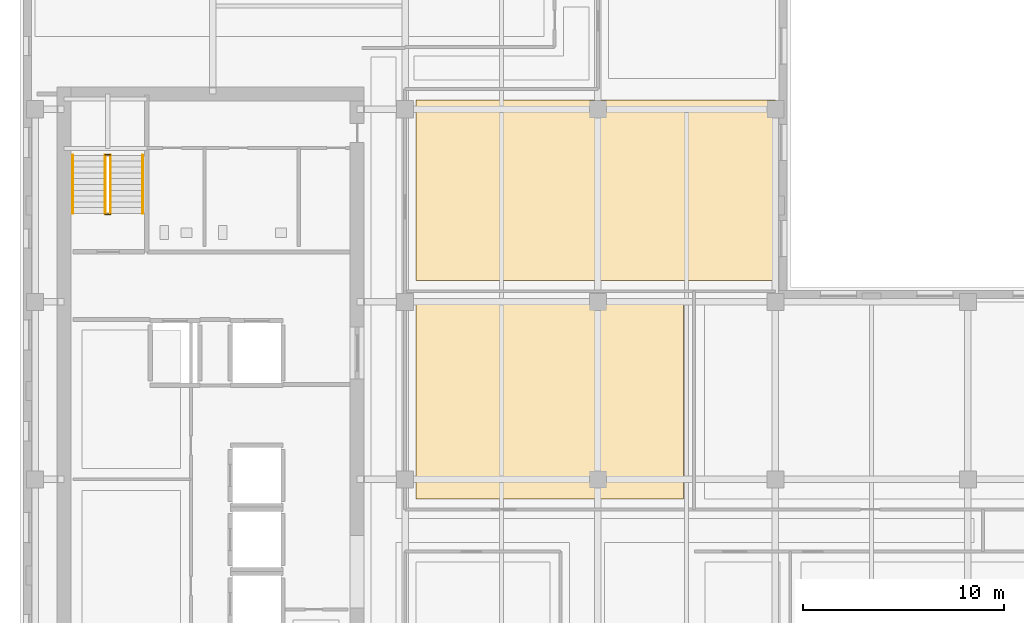
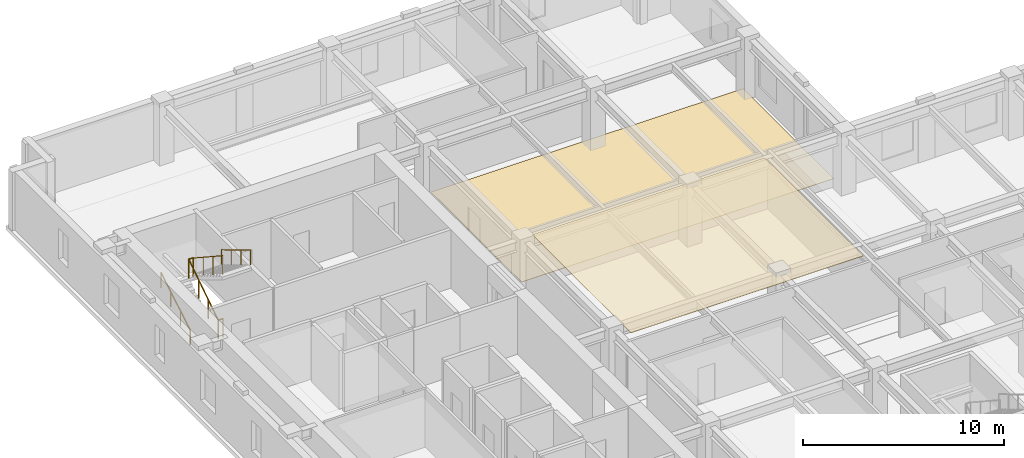
# One storey, part 12 of 14: 6 railings, 2 coverings.
"""IFC4 building model written with IfcOpenShell, lengths in metres."""

from ifc_helpers import new_model, si_unit, direction, frame, origin, origin_2d, place, context, subcontext, project, spatial, polyline, circle, outline, extrude, material, layer, layer_set, type_object, element, save


model = new_model("IFC4")

# Units and contexts
model_context = context("Model", 3, precision=1e-05, world=origin(), true_north=direction((0.0, 1.0)))
body_context = subcontext(model_context, "Body", "Model", "MODEL_VIEW")
ifc_project = project(units=[si_unit("LENGTHUNIT", "METRE"), si_unit("AREAUNIT", "SQUARE_METRE"), si_unit("VOLUMEUNIT", "CUBIC_METRE"), si_unit("PLANEANGLEUNIT", "RADIAN"), si_unit("MASSUNIT", "GRAM", prefix="KILO")], contexts=[model_context])

# Site, building, storey
site_placement = place(None, origin())
site = spatial("IfcSite", under=ifc_project, at=site_placement, CompositionType="ELEMENT")
building_placement = place(site_placement, origin())
building = spatial("IfcBuilding", under=site, at=building_placement, Name="Norrvale University Quadrangle", CompositionType="ELEMENT")
storey_placement = place(building_placement, frame((0.0, 0.0, 214.199951171875)))
storey = spatial("IfcBuildingStorey", under=building, at=storey_placement, Name="L54", CompositionType="ELEMENT", Elevation=214.199951171875)

# Coverings
ifc_material_1 = material(Name="Perforated Acoustic Mineral Ceiling")
ifc_layer_1 = layer(ifc_material_1, 0.02490234375, Name="Perforated Acoustic Mineral Ceiling")
ifc_layer_set_1 = layer_set([ifc_layer_1], Name="Perforated Acoustic Mineral Ceiling")
covering_type_1 = type_object("IfcCoveringType", Name="Covering Acoustic Ceiling 25", PredefinedType="CEILING", material=ifc_layer_set_1)
covering_1_placement = place(storey_placement, frame((0.0, 0.0, 3.51513671875)))
element("IfcCovering", 1, at=covering_1_placement, inside=storey, type_object=covering_type_1, Name="Acoustic Ceiling RM-L54-ME01", PredefinedType="CEILING", context=body_context, shape_type="SweptSolid", body=[
    extrude(outline(polyline([(19.72998046875, 37.64990234375), (33.070068359375, 37.64990234375), (33.070068359375, 27.830078125), (19.72998046875, 27.830078125), (19.72998046875, 37.64990234375)])), origin(), (0.0, 0.0, 1.0), 0.02490234375),
])
ifc_material_2 = material(Name="Polished Terrazzo Flooring")
ifc_layer_2 = layer(ifc_material_2, 0.02490234375, Name="Polished Terrazzo Flooring")
ifc_layer_set_2 = layer_set([ifc_layer_2], Name="Polished Terrazzo Flooring")
covering_type_2 = type_object("IfcCoveringType", Name="Covering Terrazzo Floor 30", PredefinedType="FLOORING", material=ifc_layer_set_2)
covering_2_placement = place(storey_placement, origin())
element("IfcCovering", 2, at=covering_2_placement, inside=storey, type_object=covering_type_2, Name="Terrazzo Flooring RM-L54-MNE01", PredefinedType="FLOORING", context=body_context, shape_type="SweptSolid", body=[
    extrude(outline(polyline([(19.72998046875, 47.719970703125), (37.64990234375, 47.719970703125), (37.64990234375, 38.7099609375), (19.72998046875, 38.7099609375), (19.72998046875, 47.719970703125)])), origin(), (0.0, 0.0, 1.0), 0.025146484375),
])

# Railings
ifc_material_3 = material(Name="Steel 350W Painted Balustrade", Category="steel")
railing_type_1 = type_object("IfcRailingType", Name="Railing Stair Guard 1100", PredefinedType="GUARDRAIL", material=ifc_material_3)
for number, where, name in (
    (3, (4.239990234375, 42.02001953125, 0.0), "Stair Floor Well Guard ST-02 L54"),
    (4, (4.239990234375, 44.97998046875, 1.900146484375), "Stair Mid-Landing Slot Guard ST-02 L54"),
):
    element("IfcRailing", number, at=place(storey_placement, frame(where)), inside=storey, type_object=railing_type_1, Name=name, PredefinedType="GUARDRAIL", context=body_context, shape_type="SweptSolid", body=[
        extrude(circle(Radius=0.02392578125, at=origin_2d()), frame((0.0, 0.0, 1.1259765625), z_axis=(1.0, 0.0, 0.0), x_axis=(0.0, 1.0, 0.0)), (0.0, 0.0, 1.0), 0.27001953125),
        extrude(circle(Radius=0.02099609375, at=origin_2d()), origin(), (0.0, 0.0, 1.0), 1.101806640625),
        extrude(circle(Radius=0.02099609375, at=origin_2d()), frame((0.27001953125, 0.0, 0.0)), (0.0, 0.0, 1.0), 1.101806640625),
    ])
railing_1_placement = place(storey_placement, frame((4.239990234375, 42.050048828125, 0.0)))
element("IfcRailing", 5, at=railing_1_placement, inside=storey, type_object=railing_type_1, Name="Stair Lower Flight Inner Guard ST-02 L54", PredefinedType="GUARDRAIL", context=body_context, shape_type="SweptSolid", body=[
    extrude(circle(Radius=0.02392578125, at=origin_2d()), frame((0.0, 0.0, 1.1259765625), z_axis=(0.0, 0.836433300813, 0.548068730445), x_axis=(-1.0, 0.0, 0.0)), (0.0, 0.0, 1.0), 3.467041015625),
    extrude(circle(Radius=0.02099609375, at=origin_2d()), origin(), (0.0, 0.0, 1.0), 1.101806640625),
    extrude(circle(Radius=0.02099609375, at=origin_2d()), frame((0.0, 0.966552734375, 0.63330078125)), (0.0, 0.0, 1.0), 1.101806640625),
    extrude(circle(Radius=0.02099609375, at=origin_2d()), frame((0.0, 1.933349609375, 1.266845703125)), (0.0, 0.0, 1.0), 1.101806640625),
    extrude(circle(Radius=0.02099609375, at=origin_2d()), frame((0.0, 2.89990234375, 1.900146484375)), (0.0, 0.0, 1.0), 1.101806640625),
])
railing_2_placement = place(storey_placement, frame((4.510009765625, 44.949951171875, 1.900146484375)))
element("IfcRailing", 6, at=railing_2_placement, inside=storey, type_object=railing_type_1, Name="Stair Upper Flight Inner Guard ST-02 L54", PredefinedType="GUARDRAIL", context=body_context, shape_type="SweptSolid", body=[
    extrude(circle(Radius=0.02392578125, at=origin_2d()), frame((0.0, 0.0, 1.1259765625), z_axis=(0.0, -0.836465582154, 0.548019461216), x_axis=(1.0, 0.0, 0.0)), (0.0, 0.0, 1.0), 3.466796875),
    extrude(circle(Radius=0.02099609375, at=origin_2d()), origin(), (0.0, 0.0, 1.0), 1.101806640625),
    extrude(circle(Radius=0.02099609375, at=origin_2d()), frame((0.0, -0.966552734375, 0.63330078125)), (0.0, 0.0, 1.0), 1.101806640625),
    extrude(circle(Radius=0.02099609375, at=origin_2d()), frame((0.0, -1.933349609375, 1.2666015625)), (0.0, 0.0, 1.0), 1.101806640625),
    extrude(circle(Radius=0.02099609375, at=origin_2d()), frame((0.0, -2.89990234375, 1.89990234375)), (0.0, 0.0, 1.0), 1.101806640625),
])
ifc_material_4 = material(Name="Stainless Steel 316L Handrail", Category="steel")
railing_type_2 = type_object("IfcRailingType", Name="Railing Stair Handrail 920", PredefinedType="HANDRAIL", material=ifc_material_4)
railing_3_placement = place(storey_placement, frame((2.639892578125, 42.050048828125, 0.1728515625)))
element("IfcRailing", 7, at=railing_3_placement, inside=storey, type_object=railing_type_2, Name="Stair Lower Flight Handrail ST-02 L54", PredefinedType="HANDRAIL", context=body_context, shape_type="SweptSolid", body=[
    extrude(circle(Radius=0.02392578125, at=origin_2d()), frame((0.0, 0.0, 0.89599609375), z_axis=(0.0, 0.859141464434, 0.511738159696), x_axis=(-1.0, 0.0, 0.0)), (0.0, 0.0, 1.0), 3.375244140625),
    extrude(circle(Radius=0.02099609375, at=origin_2d()), origin(), (0.0, 0.0, 1.0), 0.871826171875),
    extrude(circle(Radius=0.02099609375, at=origin_2d()), frame((0.0, 0.966552734375, 0.57568359375)), (0.0, 0.0, 1.0), 0.871826171875),
    extrude(circle(Radius=0.02099609375, at=origin_2d()), frame((0.0, 1.933349609375, 1.151611328125)), (0.0, 0.0, 1.0), 0.871826171875),
    extrude(circle(Radius=0.02099609375, at=origin_2d()), frame((0.0, 2.89990234375, 1.727294921875)), (0.0, 0.0, 1.0), 0.871826171875),
])
railing_4_placement = place(storey_placement, frame((6.110107421875, 44.949951171875, 2.07275390625)))
element("IfcRailing", 8, at=railing_4_placement, inside=storey, type_object=railing_type_2, Name="Stair Upper Flight Handrail ST-02 L54", PredefinedType="HANDRAIL", context=body_context, shape_type="SweptSolid", body=[
    extrude(circle(Radius=0.02392578125, at=origin_2d()), frame((0.0, 0.0, 0.89599609375), z_axis=(0.0, -0.859141464434, 0.511738159696), x_axis=(1.0, 0.0, 0.0)), (0.0, 0.0, 1.0), 3.375244140625),
    extrude(circle(Radius=0.02099609375, at=origin_2d()), origin(), (0.0, 0.0, 1.0), 0.871826171875),
    extrude(circle(Radius=0.02099609375, at=origin_2d()), frame((0.0, -0.966552734375, 0.57568359375)), (0.0, 0.0, 1.0), 0.871826171875),
    extrude(circle(Radius=0.02099609375, at=origin_2d()), frame((0.0, -1.933349609375, 1.151611328125)), (0.0, 0.0, 1.0), 0.871826171875),
    extrude(circle(Radius=0.02099609375, at=origin_2d()), frame((0.0, -2.89990234375, 1.727294921875)), (0.0, 0.0, 1.0), 0.871826171875),
])

save(model, "model.ifc")
